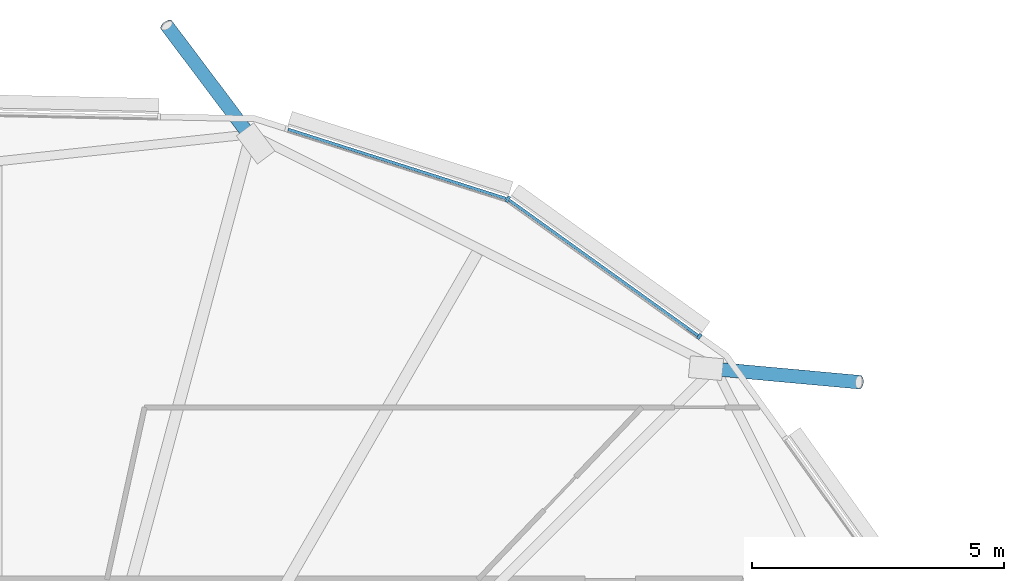
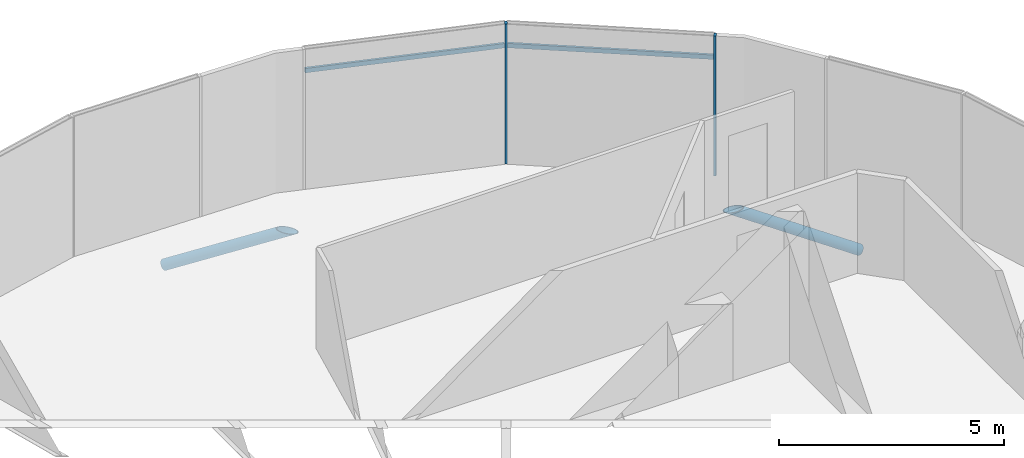
# One storey, part 15 of 33: 6 members, 1 element without a shape of its own.
"""IFC4 building model written with IfcOpenShell, lengths in metres."""

from ifc_helpers import new_model, si_unit, direction, frame, origin, origin_2d, place, context, subcontext, project, spatial, rectangle, hollow_circle, extrude, clip, halfspace, material, material_profile, profile_set, type_object, element, aggregate, save


model = new_model("IFC4")

# Units and contexts
model_context = context("Model", 3, precision=1e-05, world=origin(), true_north=direction((0.0, 1.0)))
body_context = subcontext(model_context, "Body", "Model", "MODEL_VIEW")
ifc_project = project(units=[si_unit("LENGTHUNIT", "METRE"), si_unit("AREAUNIT", "SQUARE_METRE"), si_unit("VOLUMEUNIT", "CUBIC_METRE"), si_unit("PLANEANGLEUNIT", "RADIAN"), si_unit("MASSUNIT", "GRAM", prefix="KILO")], contexts=[model_context])

# Site, building, storey
site_placement = place(None, origin())
site = spatial("IfcSite", under=ifc_project, at=site_placement, CompositionType="ELEMENT")
building_placement = place(site_placement, origin())
building = spatial("IfcBuilding", under=site, at=building_placement, Name="Rimbun Link Towers", CompositionType="ELEMENT")
storey_placement = place(building_placement, frame((0.0, 0.0, 240.89990234375)))
storey = spatial("IfcBuildingStorey", under=building, at=storey_placement, Name="L59", CompositionType="ELEMENT", Elevation=240.89990234375)

# Curtain wall, members
ifc_material_1 = material(Name="Aluminium 6063-T6 and low-iron glass", Category="aluminium")
curtain_wall_type = type_object("IfcCurtainWallType", Name="CW1-Z4 unitised vision wall (zone 4)", PredefinedType="NOTDEFINED", material=ifc_material_1)
curtain_wall_placement = place(storey_placement, origin())
curtain_wall = element("IfcCurtainWall", 1, at=curtain_wall_placement, inside=storey, type_object=curtain_wall_type, Name="CW1 L59 T2", PredefinedType="NOTDEFINED")
ifc_material_2 = material(Name="Aluminium 6063-T6", Category="aluminium")
ifc_material_profile_1 = material_profile(ifc_material_2, rectangle(XDim=0.1201171875, YDim=0.06005859375, at=origin_2d()), Name="MULLION 60X120")
ifc_profile_set_1 = profile_set([ifc_material_profile_1], Name="Aluminium 6063-T6")
member_type_1 = type_object("IfcMemberType", Name="CW1 mullion 60X120", PredefinedType="MULLION", material=ifc_profile_set_1)
member_1_placement = place(storey_placement, frame((41.903564453125, 17.593505859375, 0.0), z_axis=(0.0, 0.0, 1.0), x_axis=(0.448572222848, 0.893746586505, 0.0)))
member_1 = element("IfcMember", 2, at=member_1_placement, type_object=member_type_1, Name="CW1 mullion", PredefinedType="MULLION", context=body_context, shape_type="SweptSolid", body=[
    extrude(rectangle(XDim=0.1201171875, YDim=0.06005859375, at=origin_2d()), origin(), (0.0, 0.0, 1.0), 3.800048828125),
])
member_2_placement = place(storey_placement, frame((45.69970703125, 14.87060546875, 0.0), z_axis=(0.0, 0.0, 1.0), x_axis=(0.583003243297, 0.812469826089, 0.0)))
member_2 = element("IfcMember", 3, at=member_2_placement, type_object=member_type_1, Name="CW1 mullion", PredefinedType="MULLION", context=body_context, shape_type="SweptSolid", body=[
    extrude(rectangle(XDim=0.1201171875, YDim=0.06005859375, at=origin_2d()), origin(), (0.0, 0.0, 1.0), 3.800048828125),
])
ifc_material_3 = material(Name="Aluminium 6063-T6", Category="aluminium")
ifc_material_profile_2 = material_profile(ifc_material_3, rectangle(XDim=0.06005859375, YDim=0.1201171875, at=origin_2d()), Name="TRANSOM 60X120")
ifc_profile_set_2 = profile_set([ifc_material_profile_2], Name="Aluminium 6063-T6")
member_type_2 = type_object("IfcMemberType", Name="CW1 transom 60X120", PredefinedType="USERDEFINED", material=ifc_profile_set_2)
member_3_placement = place(storey_placement, frame((41.934814453125, 17.569580078125, 3.2001953125), z_axis=(0.81247707176, -0.582993145641, 0.0), x_axis=(0.582993145641, 0.81247707176, 0.0)))
member_3 = element("IfcMember", 4, at=member_3_placement, type_object=member_type_2, Name="CW1 transom", ObjectType="TRANSOM", PredefinedType="USERDEFINED", context=body_context, shape_type="SweptSolid", body=[
    extrude(rectangle(XDim=0.06005859375, YDim=0.1201171875, at=origin_2d()), origin(), (0.0, 0.0, 1.0), 4.602294921875),
])
member_4_placement = place(storey_placement, frame((37.54150390625, 18.9794921875, 3.2001953125), z_axis=(0.952966754801, -0.303074849243, 0.0), x_axis=(0.303074849243, 0.952966754801, 0.0)))
member_4 = element("IfcMember", 5, at=member_4_placement, type_object=member_type_2, Name="CW1 transom", ObjectType="TRANSOM", PredefinedType="USERDEFINED", context=body_context, shape_type="SweptSolid", body=[
    extrude(rectangle(XDim=0.06005859375, YDim=0.1201171875, at=origin_2d()), origin(), (0.0, 0.0, 1.0), 4.53759765625),
])
aggregate(curtain_wall, [member_1, member_2, member_3, member_4])

# Members
ifc_material_4 = material(Name="Steel S355J2H", Category="steel")
ifc_material_profile_3 = material_profile(ifc_material_4, hollow_circle(Radius=0.136474609375, WallThickness=0.012451171875, at=origin_2d()), Name="CHS 273x12.5")
ifc_profile_set_3 = profile_set([ifc_material_profile_3], Name="Steel S355J2H")
member_type_3 = type_object("IfcMemberType", Name="Floor edge link CHS 273x12.5", PredefinedType="BRACE", material=ifc_profile_set_3)
member_5_placement = place(storey_placement, frame((45.978271484375, 14.228271484375, -0.7080078125), z_axis=(0.835018385087, -0.076446828193, -0.544885473312), x_axis=(0.09116979482, 0.995835362152, 0.0)))
element("IfcMember", 6, at=member_5_placement, inside=storey, type_object=member_type_3, Name="Floor edge link T2 L59 00", PredefinedType="BRACE", context=body_context, shape_type="Clipping", body=[
    clip(extrude(hollow_circle(Radius=0.136474609375, WallThickness=0.012451171875, at=origin_2d()), frame((0.0, 0.0, -0.4384765625)), (0.0, 0.0, 1.0), 3.916259765625), halfspace(frame((0.0, 0.0, -0.206787109375), z_axis=(0.0, 0.838510477558, -0.544885473312)), False)),
])
member_6_placement = place(storey_placement, frame((36.79638671875, 18.83349609375, -0.860107421875), z_axis=(-0.518281100143, 0.688791258656, -0.506903642947), x_axis=(-0.799059259569, -0.601252276251, 0.0)))
element("IfcMember", 7, at=member_6_placement, inside=storey, type_object=member_type_3, Name="Floor edge link T2 L59 02", PredefinedType="BRACE", context=body_context, shape_type="Clipping", body=[
    clip(extrude(hollow_circle(Radius=0.136474609375, WallThickness=0.012451171875, at=origin_2d()), frame((0.0, 0.0, -0.48388671875)), (0.0, 0.0, 1.0), 3.70263671875), halfspace(frame((0.0, 0.0, -0.22802734375), z_axis=(0.0, 0.862002724339, -0.506903642947)), False)),
])

save(model, "model.ifc")
